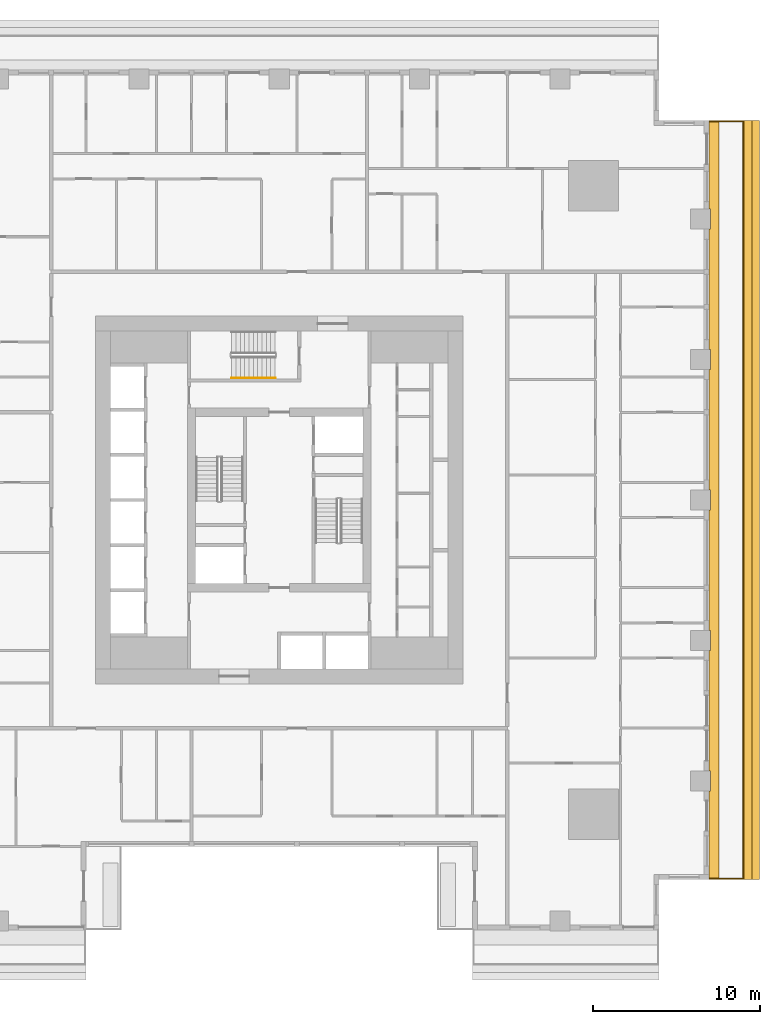
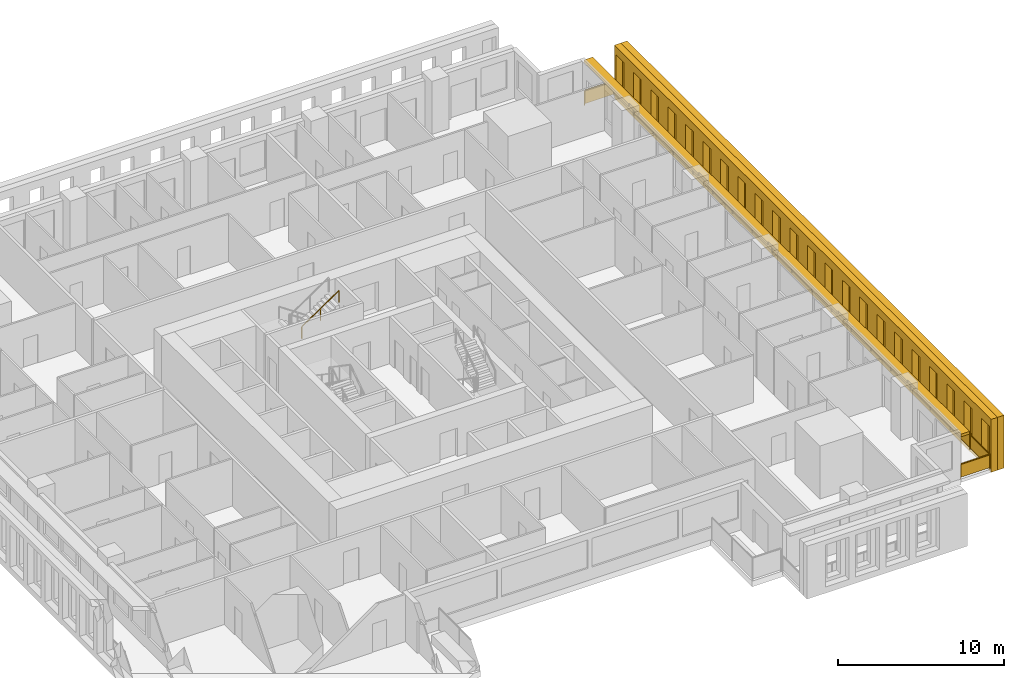
# One storey, part 13 of 15: 3 shading devices, 2 railings.
"""IFC4 building model written with IfcOpenShell, lengths in metres."""

from ifc_helpers import new_model, si_unit, direction, frame, origin, origin_2d, place, context, subcontext, project, spatial, polyline, rectangle, outline, extrude, material, layer, layer_set, type_object, element, save


model = new_model("IFC4")

# Units and contexts
model_context = context("Model", 3, precision=1e-05, world=origin(), true_north=direction((0.0, 1.0)))
body_context = subcontext(model_context, "Body", "Model", "MODEL_VIEW")
ifc_project = project(units=[si_unit("LENGTHUNIT", "METRE"), si_unit("AREAUNIT", "SQUARE_METRE"), si_unit("VOLUMEUNIT", "CUBIC_METRE"), si_unit("PLANEANGLEUNIT", "RADIAN"), si_unit("MASSUNIT", "GRAM", prefix="KILO")], contexts=[model_context])

# Site, building, storey
site_placement = place(None, origin())
site = spatial("IfcSite", under=ifc_project, at=site_placement, CompositionType="ELEMENT")
building_placement = place(site_placement, origin())
building = spatial("IfcBuilding", under=site, at=building_placement, Name="Khepri Terraces", CompositionType="ELEMENT")
storey_placement = place(building_placement, frame((0.0, 0.0, 58.199951171875)))
storey = spatial("IfcBuildingStorey", under=building, at=storey_placement, Name="L13", CompositionType="ELEMENT", Elevation=58.199951171875)

# Railings
ifc_material_1 = material(Name="Stainless steel grade 316", Category="steel")
railing_type_1 = type_object("IfcRailingType", Name="GRD-BAL-1100", PredefinedType="GUARDRAIL", material=ifc_material_1)
railing_1_placement = place(storey_placement, frame((25.719970703125, -22.669921875, 0.0)))
element("IfcRailing", 1, at=railing_1_placement, inside=storey, type_object=railing_type_1, Name="Balcony guard L13 E", PredefinedType="GUARDRAIL", context=body_context, shape_type="SweptSolid", body=[
    extrude(rectangle(XDim=0.050048828125, YDim=0.06005859375, at=origin_2d()), frame((0.0, 0.0, 1.070068359375), z_axis=(1.0, 0.0, 0.0), x_axis=(0.0, 1.0, 0.0)), (0.0, 0.0, 1.0), 2.050048828125),
    extrude(rectangle(XDim=2.0, YDim=0.011962890625, at=origin_2d()), frame((1.02490234375, 0.0, 0.10009765625), z_axis=(0.0, 0.0, 1.0), x_axis=(1.0, 0.0, 0.0)), (0.0, 0.0, 1.0), 0.93994140625),
    extrude(rectangle(XDim=0.050048828125, YDim=0.06005859375, at=origin_2d()), frame((2.050048828125, 0.0, 1.070068359375), z_axis=(0.0, 1.0, 0.0), x_axis=(-1.0, 0.0, 0.0)), (0.0, 0.0, 1.0), 45.33984375),
    extrude(rectangle(XDim=2.336181640625, YDim=0.011962890625, at=origin_2d()), frame((2.050048828125, 1.193115234375, 0.10009765625), z_axis=(0.0, 0.0, 1.0), x_axis=(0.0, 1.0, 0.0)), (0.0, 0.0, 1.0), 0.93994140625),
    extrude(rectangle(XDim=2.336181640625, YDim=0.011962890625, at=origin_2d()), frame((2.050048828125, 3.579345703125, 0.10009765625), z_axis=(0.0, 0.0, 1.0), x_axis=(0.0, 1.0, 0.0)), (0.0, 0.0, 1.0), 0.93994140625),
    extrude(rectangle(XDim=2.336181640625, YDim=0.011962890625, at=origin_2d()), frame((2.050048828125, 5.9658203125, 0.10009765625), z_axis=(0.0, 0.0, 1.0), x_axis=(0.0, 1.0, 0.0)), (0.0, 0.0, 1.0), 0.93994140625),
    extrude(rectangle(XDim=2.336181640625, YDim=0.011962890625, at=origin_2d()), frame((2.050048828125, 8.35205078125, 0.10009765625), z_axis=(0.0, 0.0, 1.0), x_axis=(0.0, 1.0, 0.0)), (0.0, 0.0, 1.0), 0.93994140625),
    extrude(rectangle(XDim=2.336181640625, YDim=0.011962890625, at=origin_2d()), frame((2.050048828125, 10.73828125, 0.10009765625), z_axis=(0.0, 0.0, 1.0), x_axis=(0.0, 1.0, 0.0)), (0.0, 0.0, 1.0), 0.93994140625),
    extrude(rectangle(XDim=2.336181640625, YDim=0.011962890625, at=origin_2d()), frame((2.050048828125, 13.124755859375, 0.10009765625), z_axis=(0.0, 0.0, 1.0), x_axis=(0.0, 1.0, 0.0)), (0.0, 0.0, 1.0), 0.93994140625),
    extrude(rectangle(XDim=2.336181640625, YDim=0.011962890625, at=origin_2d()), frame((2.050048828125, 15.510986328125, 0.10009765625), z_axis=(0.0, 0.0, 1.0), x_axis=(0.0, 1.0, 0.0)), (0.0, 0.0, 1.0), 0.93994140625),
    extrude(rectangle(XDim=2.336181640625, YDim=0.011962890625, at=origin_2d()), frame((2.050048828125, 17.897216796875, 0.10009765625), z_axis=(0.0, 0.0, 1.0), x_axis=(0.0, 1.0, 0.0)), (0.0, 0.0, 1.0), 0.93994140625),
    extrude(rectangle(XDim=2.336181640625, YDim=0.011962890625, at=origin_2d()), frame((2.050048828125, 20.28369140625, 0.10009765625), z_axis=(0.0, 0.0, 1.0), x_axis=(0.0, 1.0, 0.0)), (0.0, 0.0, 1.0), 0.93994140625),
    extrude(rectangle(XDim=2.336181640625, YDim=0.011962890625, at=origin_2d()), frame((2.050048828125, 22.669921875, 0.10009765625), z_axis=(0.0, 0.0, 1.0), x_axis=(0.0, 1.0, 0.0)), (0.0, 0.0, 1.0), 0.93994140625),
    extrude(rectangle(XDim=2.336181640625, YDim=0.011962890625, at=origin_2d()), frame((2.050048828125, 25.05615234375, 0.10009765625), z_axis=(0.0, 0.0, 1.0), x_axis=(0.0, 1.0, 0.0)), (0.0, 0.0, 1.0), 0.93994140625),
    extrude(rectangle(XDim=2.336181640625, YDim=0.011962890625, at=origin_2d()), frame((2.050048828125, 27.442626953125, 0.10009765625), z_axis=(0.0, 0.0, 1.0), x_axis=(0.0, 1.0, 0.0)), (0.0, 0.0, 1.0), 0.93994140625),
    extrude(rectangle(XDim=2.336181640625, YDim=0.011962890625, at=origin_2d()), frame((2.050048828125, 29.828857421875, 0.10009765625), z_axis=(0.0, 0.0, 1.0), x_axis=(0.0, 1.0, 0.0)), (0.0, 0.0, 1.0), 0.93994140625),
    extrude(rectangle(XDim=2.336181640625, YDim=0.011962890625, at=origin_2d()), frame((2.050048828125, 32.215087890625, 0.10009765625), z_axis=(0.0, 0.0, 1.0), x_axis=(0.0, 1.0, 0.0)), (0.0, 0.0, 1.0), 0.93994140625),
    extrude(rectangle(XDim=2.336181640625, YDim=0.011962890625, at=origin_2d()), frame((2.050048828125, 34.6015625, 0.10009765625), z_axis=(0.0, 0.0, 1.0), x_axis=(0.0, 1.0, 0.0)), (0.0, 0.0, 1.0), 0.93994140625),
    extrude(rectangle(XDim=2.336181640625, YDim=0.011962890625, at=origin_2d()), frame((2.050048828125, 36.98779296875, 0.10009765625), z_axis=(0.0, 0.0, 1.0), x_axis=(0.0, 1.0, 0.0)), (0.0, 0.0, 1.0), 0.93994140625),
    extrude(rectangle(XDim=2.336181640625, YDim=0.011962890625, at=origin_2d()), frame((2.050048828125, 39.3740234375, 0.10009765625), z_axis=(0.0, 0.0, 1.0), x_axis=(0.0, 1.0, 0.0)), (0.0, 0.0, 1.0), 0.93994140625),
    extrude(rectangle(XDim=2.336181640625, YDim=0.011962890625, at=origin_2d()), frame((2.050048828125, 41.760498046875, 0.10009765625), z_axis=(0.0, 0.0, 1.0), x_axis=(0.0, 1.0, 0.0)), (0.0, 0.0, 1.0), 0.93994140625),
    extrude(rectangle(XDim=2.336181640625, YDim=0.011962890625, at=origin_2d()), frame((2.050048828125, 44.146728515625, 0.10009765625), z_axis=(0.0, 0.0, 1.0), x_axis=(0.0, 1.0, 0.0)), (0.0, 0.0, 1.0), 0.93994140625),
    extrude(rectangle(XDim=0.050048828125, YDim=0.06005859375, at=origin_2d()), frame((2.050048828125, 45.33984375, 1.070068359375), z_axis=(-1.0, 0.0, 0.0), x_axis=(0.0, -1.0, 0.0)), (0.0, 0.0, 1.0), 2.050048828125),
    extrude(rectangle(XDim=2.0, YDim=0.011962890625, at=origin_2d()), frame((1.02490234375, 45.33984375, 0.10009765625), z_axis=(0.0, 0.0, 1.0), x_axis=(-1.0, 0.0, 0.0)), (0.0, 0.0, 1.0), 0.93994140625),
    extrude(rectangle(XDim=0.050048828125, YDim=0.050048828125, at=origin_2d()), origin(), (0.0, 0.0, 1.0), 1.0400390625),
    extrude(rectangle(XDim=0.050048828125, YDim=0.050048828125, at=origin_2d()), frame((2.050048828125, 0.0, 0.0)), (0.0, 0.0, 1.0), 1.0400390625),
    extrude(rectangle(XDim=0.050048828125, YDim=0.050048828125, at=origin_2d()), frame((2.050048828125, 2.38623046875, 0.0)), (0.0, 0.0, 1.0), 1.0400390625),
    extrude(rectangle(XDim=0.050048828125, YDim=0.050048828125, at=origin_2d()), frame((2.050048828125, 4.772705078125, 0.0)), (0.0, 0.0, 1.0), 1.0400390625),
    extrude(rectangle(XDim=0.050048828125, YDim=0.050048828125, at=origin_2d()), frame((2.050048828125, 7.158935546875, 0.0)), (0.0, 0.0, 1.0), 1.0400390625),
    extrude(rectangle(XDim=0.050048828125, YDim=0.050048828125, at=origin_2d()), frame((2.050048828125, 9.545166015625, 0.0)), (0.0, 0.0, 1.0), 1.0400390625),
    extrude(rectangle(XDim=0.050048828125, YDim=0.050048828125, at=origin_2d()), frame((2.050048828125, 11.931640625, 0.0)), (0.0, 0.0, 1.0), 1.0400390625),
    extrude(rectangle(XDim=0.050048828125, YDim=0.050048828125, at=origin_2d()), frame((2.050048828125, 14.31787109375, 0.0)), (0.0, 0.0, 1.0), 1.0400390625),
    extrude(rectangle(XDim=0.050048828125, YDim=0.050048828125, at=origin_2d()), frame((2.050048828125, 16.7041015625, 0.0)), (0.0, 0.0, 1.0), 1.0400390625),
    extrude(rectangle(XDim=0.050048828125, YDim=0.050048828125, at=origin_2d()), frame((2.050048828125, 19.090576171875, 0.0)), (0.0, 0.0, 1.0), 1.0400390625),
    extrude(rectangle(XDim=0.050048828125, YDim=0.050048828125, at=origin_2d()), frame((2.050048828125, 21.476806640625, 0.0)), (0.0, 0.0, 1.0), 1.0400390625),
    extrude(rectangle(XDim=0.050048828125, YDim=0.050048828125, at=origin_2d()), frame((2.050048828125, 23.863037109375, 0.0)), (0.0, 0.0, 1.0), 1.0400390625),
    extrude(rectangle(XDim=0.050048828125, YDim=0.050048828125, at=origin_2d()), frame((2.050048828125, 26.249267578125, 0.0)), (0.0, 0.0, 1.0), 1.0400390625),
    extrude(rectangle(XDim=0.050048828125, YDim=0.050048828125, at=origin_2d()), frame((2.050048828125, 28.6357421875, 0.0)), (0.0, 0.0, 1.0), 1.0400390625),
    extrude(rectangle(XDim=0.050048828125, YDim=0.050048828125, at=origin_2d()), frame((2.050048828125, 31.02197265625, 0.0)), (0.0, 0.0, 1.0), 1.0400390625),
    extrude(rectangle(XDim=0.050048828125, YDim=0.050048828125, at=origin_2d()), frame((2.050048828125, 33.408203125, 0.0)), (0.0, 0.0, 1.0), 1.0400390625),
    extrude(rectangle(XDim=0.050048828125, YDim=0.050048828125, at=origin_2d()), frame((2.050048828125, 35.794677734375, 0.0)), (0.0, 0.0, 1.0), 1.0400390625),
    extrude(rectangle(XDim=0.050048828125, YDim=0.050048828125, at=origin_2d()), frame((2.050048828125, 38.180908203125, 0.0)), (0.0, 0.0, 1.0), 1.0400390625),
    extrude(rectangle(XDim=0.050048828125, YDim=0.050048828125, at=origin_2d()), frame((2.050048828125, 40.567138671875, 0.0)), (0.0, 0.0, 1.0), 1.0400390625),
    extrude(rectangle(XDim=0.050048828125, YDim=0.050048828125, at=origin_2d()), frame((2.050048828125, 42.95361328125, 0.0)), (0.0, 0.0, 1.0), 1.0400390625),
    extrude(rectangle(XDim=0.050048828125, YDim=0.050048828125, at=origin_2d()), frame((2.050048828125, 45.33984375, 0.0)), (0.0, 0.0, 1.0), 1.0400390625),
    extrude(rectangle(XDim=0.050048828125, YDim=0.050048828125, at=origin_2d()), frame((0.0, 45.33984375, 0.0)), (0.0, 0.0, 1.0), 1.0400390625),
])
ifc_material_2 = material(Name="Stainless steel 316", Category="steel")
railing_type_2 = type_object("IfcRailingType", Name="RL-CORE-HANDRAIL", PredefinedType="HANDRAIL", material=ifc_material_2)
railing_2_placement = place(storey_placement, frame((-2.85009765625, 7.300048828125, 2.12744140625)))
element("IfcRailing", 2, at=railing_2_placement, inside=storey, type_object=railing_type_2, Name="L13 ST-3 stair handrail 2", PredefinedType="HANDRAIL", context=body_context, shape_type="SweptSolid", body=[
    extrude(rectangle(XDim=0.050048828125, YDim=0.050048828125, at=origin_2d()), frame((0.0, 0.0, 0.875), z_axis=(0.826240473404, 0.0, 0.563317565952), x_axis=(0.0, 1.0, 0.0)), (0.0, 0.0, 1.0), 3.14697265625),
    extrude(rectangle(XDim=0.050048828125, YDim=0.050048828125, at=origin_2d()), origin(), (0.0, 0.0, 1.0), 0.849853515625),
    extrude(rectangle(XDim=0.050048828125, YDim=0.050048828125, at=origin_2d()), frame((1.300048828125, 0.0, 0.88623046875)), (0.0, 0.0, 1.0), 0.849853515625),
    extrude(rectangle(XDim=0.050048828125, YDim=0.050048828125, at=origin_2d()), frame((2.60009765625, 0.0, 1.772705078125)), (0.0, 0.0, 1.0), 0.849853515625),
])

# Shading devices
ifc_material_3 = material(Name="Precast concrete C50/60 warm stone", Category="masonry")
shading_device_type_1 = type_object("IfcShadingDeviceType", Name="SCR-CELL-INNER-450", PredefinedType="USERDEFINED", material=ifc_material_3)
shading_device_1_placement = place(storey_placement, frame((27.820068359375, -22.719970703125, -0.25), z_axis=(1.0, 0.0, 0.0), x_axis=(0.0, 1.0, 0.0)))
element("IfcShadingDevice", 3, at=shading_device_1_placement, inside=storey, type_object=shading_device_type_1, Name="Cell screen L13 E in", ObjectType="SCREEN", PredefinedType="USERDEFINED", context=body_context, shape_type="SweptSolid", body=[
    extrude(outline(polyline([(0.0, 0.0), (45.43994140625, 0.0), (45.43994140625, 3.89990234375), (0.0, 3.89990234375), (0.0, 0.0)]), holes=[polyline([(0.197509765625, 0.699951171875), (1.142578125, 0.699951171875), (1.142578125, 3.300048828125), (0.197509765625, 3.300048828125), (0.197509765625, 0.699951171875)]), polyline([(2.297607421875, 0.699951171875), (3.242431640625, 0.699951171875), (3.242431640625, 3.300048828125), (2.297607421875, 3.300048828125), (2.297607421875, 0.699951171875)]), polyline([(4.3974609375, 0.699951171875), (5.342529296875, 0.699951171875), (5.342529296875, 3.300048828125), (4.3974609375, 3.300048828125), (4.3974609375, 0.699951171875)]), polyline([(6.49755859375, 0.699951171875), (7.4423828125, 0.699951171875), (7.4423828125, 3.300048828125), (6.49755859375, 3.300048828125), (6.49755859375, 0.699951171875)]), polyline([(8.597412109375, 0.699951171875), (9.54248046875, 0.699951171875), (9.54248046875, 3.300048828125), (8.597412109375, 3.300048828125), (8.597412109375, 0.699951171875)]), polyline([(10.697509765625, 0.699951171875), (11.642578125, 0.699951171875), (11.642578125, 3.300048828125), (10.697509765625, 3.300048828125), (10.697509765625, 0.699951171875)]), polyline([(12.797607421875, 0.699951171875), (13.742431640625, 0.699951171875), (13.742431640625, 3.300048828125), (12.797607421875, 3.300048828125), (12.797607421875, 0.699951171875)]), polyline([(14.8974609375, 0.699951171875), (15.842529296875, 0.699951171875), (15.842529296875, 3.300048828125), (14.8974609375, 3.300048828125), (14.8974609375, 0.699951171875)]), polyline([(16.99755859375, 0.699951171875), (17.9423828125, 0.699951171875), (17.9423828125, 3.300048828125), (16.99755859375, 3.300048828125), (16.99755859375, 0.699951171875)]), polyline([(19.097412109375, 0.699951171875), (20.04248046875, 0.699951171875), (20.04248046875, 3.300048828125), (19.097412109375, 3.300048828125), (19.097412109375, 0.699951171875)]), polyline([(21.197509765625, 0.699951171875), (22.142578125, 0.699951171875), (22.142578125, 3.300048828125), (21.197509765625, 3.300048828125), (21.197509765625, 0.699951171875)]), polyline([(23.297607421875, 0.699951171875), (24.242431640625, 0.699951171875), (24.242431640625, 3.300048828125), (23.297607421875, 3.300048828125), (23.297607421875, 0.699951171875)]), polyline([(25.3974609375, 0.699951171875), (26.342529296875, 0.699951171875), (26.342529296875, 3.300048828125), (25.3974609375, 3.300048828125), (25.3974609375, 0.699951171875)]), polyline([(27.49755859375, 0.699951171875), (28.4423828125, 0.699951171875), (28.4423828125, 3.300048828125), (27.49755859375, 3.300048828125), (27.49755859375, 0.699951171875)]), polyline([(29.597412109375, 0.699951171875), (30.54248046875, 0.699951171875), (30.54248046875, 3.300048828125), (29.597412109375, 3.300048828125), (29.597412109375, 0.699951171875)]), polyline([(31.697509765625, 0.699951171875), (32.642578125, 0.699951171875), (32.642578125, 3.300048828125), (31.697509765625, 3.300048828125), (31.697509765625, 0.699951171875)]), polyline([(33.797607421875, 0.699951171875), (34.742431640625, 0.699951171875), (34.742431640625, 3.300048828125), (33.797607421875, 3.300048828125), (33.797607421875, 0.699951171875)]), polyline([(35.8974609375, 0.699951171875), (36.842529296875, 0.699951171875), (36.842529296875, 3.300048828125), (35.8974609375, 3.300048828125), (35.8974609375, 0.699951171875)]), polyline([(37.99755859375, 0.699951171875), (38.9423828125, 0.699951171875), (38.9423828125, 3.300048828125), (37.99755859375, 3.300048828125), (37.99755859375, 0.699951171875)]), polyline([(40.097412109375, 0.699951171875), (41.04248046875, 0.699951171875), (41.04248046875, 3.300048828125), (40.097412109375, 3.300048828125), (40.097412109375, 0.699951171875)]), polyline([(42.197509765625, 0.699951171875), (43.142578125, 0.699951171875), (43.142578125, 3.300048828125), (42.197509765625, 3.300048828125), (42.197509765625, 0.699951171875)]), polyline([(44.297607421875, 0.699951171875), (45.242431640625, 0.699951171875), (45.242431640625, 3.300048828125), (44.297607421875, 3.300048828125), (44.297607421875, 0.699951171875)])]), origin(), (0.0, 0.0, 1.0), 0.449951171875),
])
shading_device_type_2 = type_object("IfcShadingDeviceType", Name="SCR-CELL-OUTER-450", PredefinedType="USERDEFINED", material=ifc_material_3)
shading_device_2_placement = place(storey_placement, frame((28.27001953125, -22.719970703125, -0.25), z_axis=(1.0, 0.0, 0.0), x_axis=(0.0, 1.0, 0.0)))
element("IfcShadingDevice", 4, at=shading_device_2_placement, inside=storey, type_object=shading_device_type_2, Name="Cell screen L13 E out", ObjectType="SCREEN", PredefinedType="USERDEFINED", context=body_context, shape_type="SweptSolid", body=[
    extrude(outline(polyline([(0.0, 0.0), (45.43994140625, 0.0), (45.43994140625, 3.89990234375), (0.0, 3.89990234375), (0.0, 0.0)]), holes=[polyline([(1.947509765625, 0.449951171875), (3.592529296875, 0.449951171875), (3.592529296875, 3.550048828125), (1.947509765625, 3.550048828125), (1.947509765625, 0.449951171875)]), polyline([(4.047607421875, 0.449951171875), (5.6923828125, 0.449951171875), (5.6923828125, 3.550048828125), (4.047607421875, 3.550048828125), (4.047607421875, 0.449951171875)]), polyline([(6.1474609375, 0.449951171875), (7.79248046875, 0.449951171875), (7.79248046875, 3.550048828125), (6.1474609375, 3.550048828125), (6.1474609375, 0.449951171875)]), polyline([(8.24755859375, 0.449951171875), (9.892578125, 0.449951171875), (9.892578125, 3.550048828125), (8.24755859375, 3.550048828125), (8.24755859375, 0.449951171875)]), polyline([(10.347412109375, 0.449951171875), (11.992431640625, 0.449951171875), (11.992431640625, 3.550048828125), (10.347412109375, 3.550048828125), (10.347412109375, 0.449951171875)]), polyline([(12.447509765625, 0.449951171875), (14.092529296875, 0.449951171875), (14.092529296875, 3.550048828125), (12.447509765625, 3.550048828125), (12.447509765625, 0.449951171875)]), polyline([(14.547607421875, 0.449951171875), (16.1923828125, 0.449951171875), (16.1923828125, 3.550048828125), (14.547607421875, 3.550048828125), (14.547607421875, 0.449951171875)]), polyline([(16.6474609375, 0.449951171875), (18.29248046875, 0.449951171875), (18.29248046875, 3.550048828125), (16.6474609375, 3.550048828125), (16.6474609375, 0.449951171875)]), polyline([(18.74755859375, 0.449951171875), (20.392578125, 0.449951171875), (20.392578125, 3.550048828125), (18.74755859375, 3.550048828125), (18.74755859375, 0.449951171875)]), polyline([(20.847412109375, 0.449951171875), (22.492431640625, 0.449951171875), (22.492431640625, 3.550048828125), (20.847412109375, 3.550048828125), (20.847412109375, 0.449951171875)]), polyline([(22.947509765625, 0.449951171875), (24.592529296875, 0.449951171875), (24.592529296875, 3.550048828125), (22.947509765625, 3.550048828125), (22.947509765625, 0.449951171875)]), polyline([(25.047607421875, 0.449951171875), (26.6923828125, 0.449951171875), (26.6923828125, 3.550048828125), (25.047607421875, 3.550048828125), (25.047607421875, 0.449951171875)]), polyline([(27.1474609375, 0.449951171875), (28.79248046875, 0.449951171875), (28.79248046875, 3.550048828125), (27.1474609375, 3.550048828125), (27.1474609375, 0.449951171875)]), polyline([(29.24755859375, 0.449951171875), (30.892578125, 0.449951171875), (30.892578125, 3.550048828125), (29.24755859375, 3.550048828125), (29.24755859375, 0.449951171875)]), polyline([(31.347412109375, 0.449951171875), (32.992431640625, 0.449951171875), (32.992431640625, 3.550048828125), (31.347412109375, 3.550048828125), (31.347412109375, 0.449951171875)]), polyline([(33.447509765625, 0.449951171875), (35.092529296875, 0.449951171875), (35.092529296875, 3.550048828125), (33.447509765625, 3.550048828125), (33.447509765625, 0.449951171875)]), polyline([(35.547607421875, 0.449951171875), (37.1923828125, 0.449951171875), (37.1923828125, 3.550048828125), (35.547607421875, 3.550048828125), (35.547607421875, 0.449951171875)]), polyline([(37.6474609375, 0.449951171875), (39.29248046875, 0.449951171875), (39.29248046875, 3.550048828125), (37.6474609375, 3.550048828125), (37.6474609375, 0.449951171875)]), polyline([(39.74755859375, 0.449951171875), (41.392578125, 0.449951171875), (41.392578125, 3.550048828125), (39.74755859375, 3.550048828125), (39.74755859375, 0.449951171875)]), polyline([(41.847412109375, 0.449951171875), (43.492431640625, 0.449951171875), (43.492431640625, 3.550048828125), (41.847412109375, 3.550048828125), (41.847412109375, 0.449951171875)])]), origin(), (0.0, 0.0, 1.0), 0.449951171875),
])
ifc_layer = layer(ifc_material_3, 0.199951171875, Name="Precast concrete C50/60 warm stone", Category="masonry")
ifc_layer_set = layer_set([ifc_layer], Name="Precast concrete C50/60 warm stone")
shading_device_type_3 = type_object("IfcShadingDeviceType", Name="SSH-BAND-STONE-200-N", PredefinedType="USERDEFINED", material=ifc_layer_set)
shading_device_3_placement = place(storey_placement, frame((0.0, 0.0, 3.10009765625)))
element("IfcShadingDevice", 5, at=shading_device_3_placement, inside=storey, type_object=shading_device_type_3, Name="Sunshade band L13 E", ObjectType="SUNSHADE", PredefinedType="USERDEFINED", context=body_context, shape_type="SweptSolid", body=[
    extrude(outline(polyline([(25.719970703125, -17.39990234375), (25.719970703125, -22.719970703125), (26.320068359375, -22.719970703125), (26.320068359375, 22.719970703125), (25.719970703125, 22.719970703125), (25.719970703125, 17.39990234375), (25.800048828125, 17.39990234375), (25.800048828125, 16.199951171875), (25.719970703125, 16.199951171875), (25.719970703125, 9.0), (25.800048828125, 9.0), (25.800048828125, 7.800048828125), (25.719970703125, 7.800048828125), (25.719970703125, 0.60009765625), (25.800048828125, 0.60009765625), (25.800048828125, -0.60009765625), (25.719970703125, -0.60009765625), (25.719970703125, -7.800048828125), (25.800048828125, -7.800048828125), (25.800048828125, -9.0), (25.719970703125, -9.0), (25.719970703125, -16.199951171875), (25.800048828125, -16.199951171875), (25.800048828125, -17.39990234375), (25.719970703125, -17.39990234375)])), origin(), (0.0, 0.0, 1.0), 0.199951171875),
])

save(model, "model.ifc")
